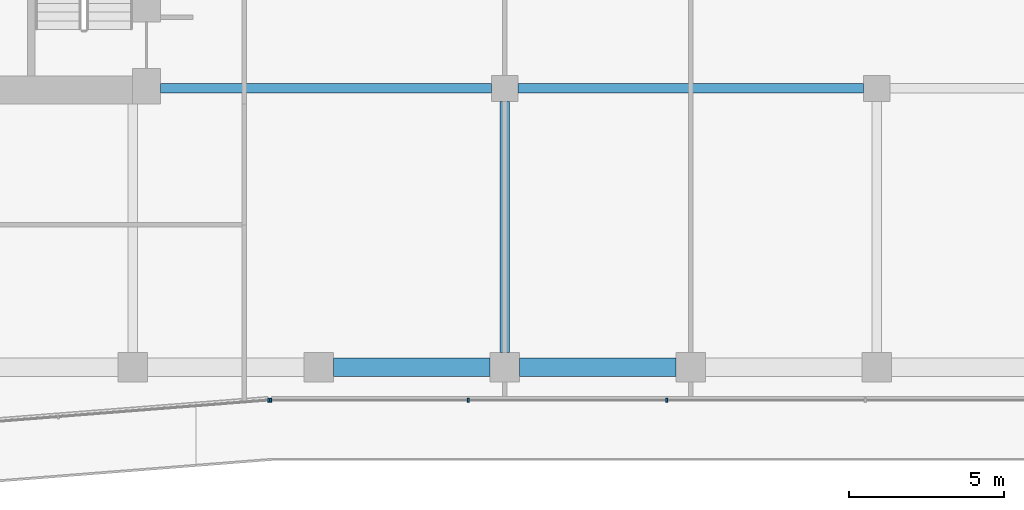
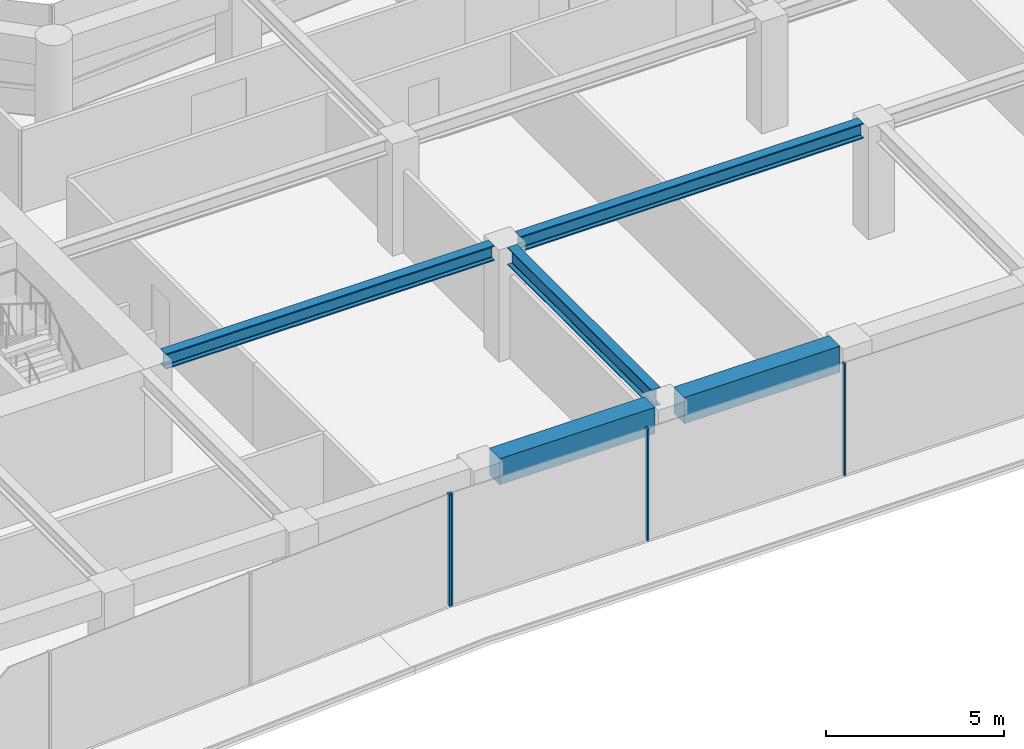
# One storey, part 6 of 28: 5 beams, 4 members, 2 elements without a shape of their own.
"""IFC4 building model written with IfcOpenShell, lengths in metres."""

from ifc_helpers import new_model, si_unit, direction, frame, origin, origin_2d, place, context, subcontext, project, spatial, rectangle, i_section, extrude, material, layer, layer_set, material_profile, profile_set, type_object, element, aggregate, save


model = new_model("IFC4")

# Units and contexts
model_context = context("Model", 3, precision=1e-05, world=origin(), true_north=direction((0.0, 1.0)))
body_context = subcontext(model_context, "Body", "Model", "MODEL_VIEW")
ifc_project = project(units=[si_unit("LENGTHUNIT", "METRE"), si_unit("AREAUNIT", "SQUARE_METRE"), si_unit("VOLUMEUNIT", "CUBIC_METRE"), si_unit("PLANEANGLEUNIT", "RADIAN"), si_unit("MASSUNIT", "GRAM", prefix="KILO")], contexts=[model_context])

# Site, building, storey
site_placement = place(None, origin())
site = spatial("IfcSite", under=ifc_project, at=site_placement, CompositionType="ELEMENT")
building_placement = place(site_placement, origin())
building = spatial("IfcBuilding", under=site, at=building_placement, Name="Welwitschia Terrace Campus", CompositionType="ELEMENT")
storey_placement = place(building_placement, frame((0.0, 0.0, 71.0)))
storey = spatial("IfcBuildingStorey", under=building, at=storey_placement, Name="L16", CompositionType="ELEMENT", Elevation=71.0)

# Beams
ifc_material_1 = material(Name="Steel S355", Category="steel")
ifc_material_profile_1 = material_profile(ifc_material_1, i_section(OverallWidth=0.305908203125, OverallDepth=0.52392578125, WebThickness=0.02099609375, FlangeThickness=0.0400390625, FilletRadius=0.027099609375, at=origin_2d()))
ifc_profile_set_1 = profile_set([ifc_material_profile_1], Name="Steel S355")
beam_type_1 = type_object("IfcBeamType", Name="Interior girder HE 500 M", PredefinedType="BEAM", material=ifc_profile_set_1)
beam_1_placement = place(storey_placement, frame((24.90087890625, 5.0, 3.587890625), z_axis=(1.0, 0.0, 0.0), x_axis=(0.0, 1.0, 0.0)))
element("IfcBeam", 1, at=beam_1_placement, inside=storey, type_object=beam_type_1, Name="Girder GB2", PredefinedType="BEAM", context=body_context, shape_type="SweptSolid", body=[
    extrude(i_section(OverallWidth=0.305908203125, OverallDepth=0.52392578125, WebThickness=0.02099609375, FlangeThickness=0.0400390625, FilletRadius=0.027099609375, at=origin_2d()), origin(), (0.0, 0.0, 1.0), 10.673583984375),
])
beam_2_placement = place(storey_placement, frame((36.425537109375, 5.0, 3.587890625), z_axis=(1.0, 0.0, 0.0), x_axis=(0.0, 1.0, 0.0)))
element("IfcBeam", 2, at=beam_2_placement, inside=storey, type_object=beam_type_1, Name="Girder GB2", PredefinedType="BEAM", context=body_context, shape_type="SweptSolid", body=[
    extrude(i_section(OverallWidth=0.305908203125, OverallDepth=0.52392578125, WebThickness=0.02099609375, FlangeThickness=0.0400390625, FilletRadius=0.027099609375, at=origin_2d()), origin(), (0.0, 0.0, 1.0), 11.14892578125),
])

# Curtain wall, member
ifc_material_2 = material(Name="Bronze anodised aluminium", Category="aluminium")
ifc_layer = layer(ifc_material_2, 0.1201171875)
ifc_layer_set = layer_set([ifc_layer], Name="Bronze anodised aluminium")
curtain_wall_type = type_object("IfcCurtainWallType", Name="Curtain wall CW2 tower 6000", PredefinedType="NOTDEFINED", material=ifc_layer_set)
curtain_wall_1_placement = place(storey_placement, origin())
curtain_wall_1 = element("IfcCurtainWall", 3, at=curtain_wall_1_placement, inside=storey, type_object=curtain_wall_type, Name="CW L16.4.0", PredefinedType="NOTDEFINED")
ifc_material_3 = material(Name="Bronze anodised aluminium", Category="aluminium")
ifc_material_profile_2 = material_profile(ifc_material_3, rectangle(XDim=0.1201171875, YDim=0.06005859375, at=origin_2d()))
ifc_profile_set_2 = profile_set([ifc_material_profile_2], Name="Bronze anodised aluminium")
member_type = type_object("IfcMemberType", Name="Mullion 60x120", PredefinedType="MULLION", material=ifc_profile_set_2)
member_1_placement = place(storey_placement, frame((28.3916015625, -5.060302734375, 0.0), z_axis=(0.0, 0.0, 1.0), x_axis=(-0.078459095728, 0.996917333733, 0.0)))
member_1 = element("IfcMember", 4, at=member_1_placement, type_object=member_type, Name="Mullion L16.4.0.3", PredefinedType="MULLION", context=body_context, shape_type="SweptSolid", body=[
    extrude(rectangle(XDim=0.1201171875, YDim=0.06005859375, at=origin_2d()), origin(), (0.0, 0.0, 1.0), 3.85009765625),
])
aggregate(curtain_wall_1, [member_1])

# Curtain wall, members
curtain_wall_2_placement = place(storey_placement, origin())
curtain_wall_2 = element("IfcCurtainWall", 5, at=curtain_wall_2_placement, inside=storey, type_object=curtain_wall_type, Name="CW L16.5.0", PredefinedType="NOTDEFINED")
member_2_placement = place(storey_placement, frame((28.451416015625, -5.05810546875, 0.0), z_axis=(0.0, 0.0, 1.0), x_axis=(0.0, 1.0, 0.0)))
member_2 = element("IfcMember", 6, at=member_2_placement, type_object=member_type, Name="Mullion L16.5.0.0", PredefinedType="MULLION", context=body_context, shape_type="SweptSolid", body=[
    extrude(rectangle(XDim=0.1201171875, YDim=0.06005859375, at=origin_2d()), origin(), (0.0, 0.0, 1.0), 3.85009765625),
])
member_3_placement = place(storey_placement, frame((34.82470703125, -5.05810546875, 0.0), z_axis=(0.0, 0.0, 1.0), x_axis=(0.0, 1.0, 0.0)))
member_3 = element("IfcMember", 7, at=member_3_placement, type_object=member_type, Name="Mullion L16.5.0.1", PredefinedType="MULLION", context=body_context, shape_type="SweptSolid", body=[
    extrude(rectangle(XDim=0.1201171875, YDim=0.06005859375, at=origin_2d()), origin(), (0.0, 0.0, 1.0), 3.85009765625),
])
member_4_placement = place(storey_placement, frame((41.22802734375, -5.05810546875, 0.0), z_axis=(0.0, 0.0, 1.0), x_axis=(0.0, 1.0, 0.0)))
member_4 = element("IfcMember", 8, at=member_4_placement, type_object=member_type, Name="Mullion L16.5.0.2", PredefinedType="MULLION", context=body_context, shape_type="SweptSolid", body=[
    extrude(rectangle(XDim=0.1201171875, YDim=0.06005859375, at=origin_2d()), origin(), (0.0, 0.0, 1.0), 3.85009765625),
])
aggregate(curtain_wall_2, [member_2, member_3, member_4])

# Beams
ifc_material_4 = material(Name="Steel S355", Category="steel")
ifc_material_profile_3 = material_profile(ifc_material_4, i_section(OverallWidth=0.300048828125, OverallDepth=0.60009765625, WebThickness=0.015380859375, FlangeThickness=0.030029296875, FilletRadius=0.027099609375, at=origin_2d()))
ifc_profile_set_3 = profile_set([ifc_material_profile_3], Name="Steel S355")
beam_type_2 = type_object("IfcBeamType", Name="Primary beam HE 600 B", PredefinedType="BEAM", material=ifc_profile_set_3)
beam_3_placement = place(storey_placement, frame((36.0, -3.5244140625, 3.550048828125), z_axis=(0.0, 1.0, 0.0), x_axis=(-1.0, 0.0, 0.0)))
element("IfcBeam", 9, at=beam_3_placement, inside=storey, type_object=beam_type_2, Name="Primary beam PB2", PredefinedType="BEAM", context=body_context, shape_type="SweptSolid", body=[
    extrude(i_section(OverallWidth=0.300048828125, OverallDepth=0.60009765625, WebThickness=0.015380859375, FlangeThickness=0.030029296875, FilletRadius=0.027099609375, at=origin_2d()), origin(), (0.0, 0.0, 1.0), 8.098876953125),
])
ifc_material_5 = material(Name="Concrete C60/75", Category="concrete")
ifc_material_profile_4 = material_profile(ifc_material_5, rectangle(XDim=0.60009765625, YDim=0.89990234375, at=origin_2d()))
ifc_profile_set_4 = profile_set([ifc_material_profile_4], Name="Concrete C60/75")
beam_type_3 = type_object("IfcBeamType", Name="Ring spandrel 600x900", PredefinedType="SPANDREL", material=ifc_profile_set_4)
for number, where, z_axis, x_axis, name in (
    (10, (30.4755859375, -4.0, 3.39990234375), (1.0, 0.0, 0.0), (0.0, 1.0, 0.0), "Spandrel SP2"),
    (11, (36.4755859375, -4.0, 3.39990234375), (1.0, 0.0, 0.0), (0.0, 1.0, 0.0), "Spandrel SP2"),
):
    element("IfcBeam", number, at=place(storey_placement, frame(where, z_axis=z_axis, x_axis=x_axis)), inside=storey, type_object=beam_type_3, Name=name, PredefinedType="SPANDREL", context=body_context, shape_type="SweptSolid", body=[
        extrude(rectangle(XDim=0.60009765625, YDim=0.89990234375, at=origin_2d()), origin(), (0.0, 0.0, 1.0), 5.048828125),
    ])

save(model, "model.ifc")
